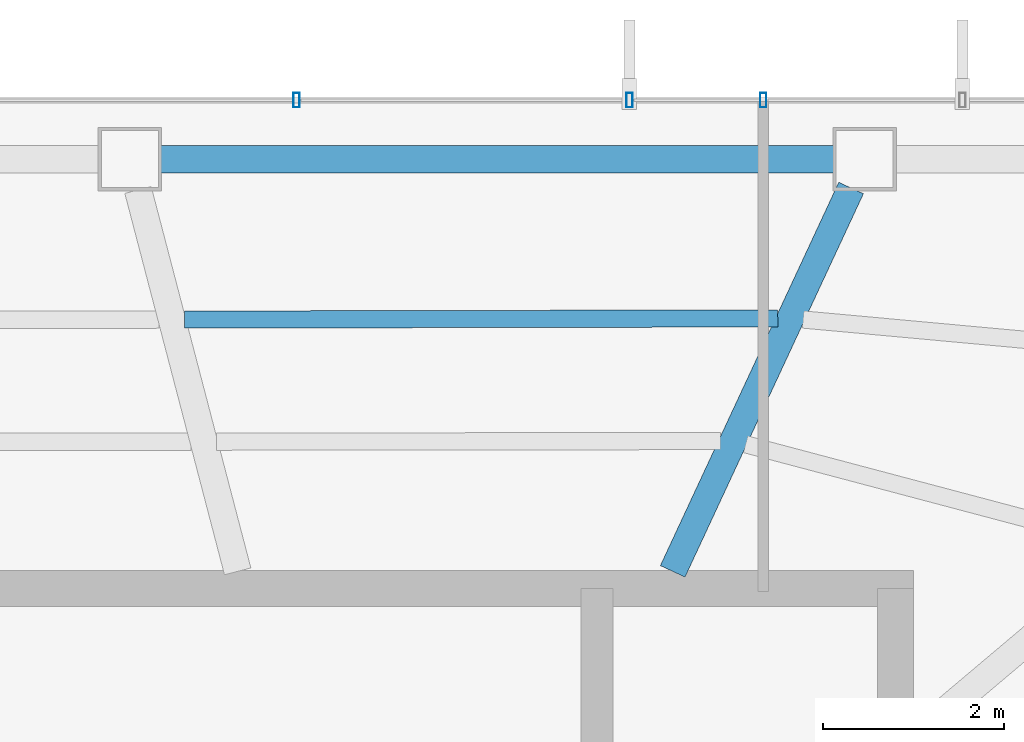
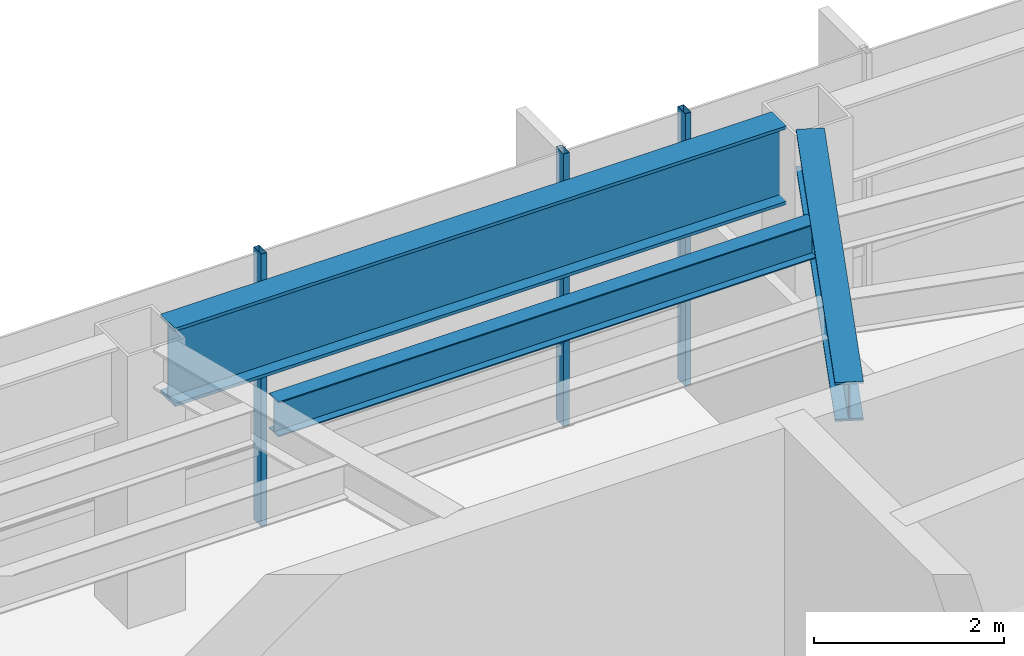
# One storey, part 16 of 28: 3 beams, 3 members, 1 element without a shape of its own.
"""IFC4 building model written with IfcOpenShell, lengths in metres."""

from ifc_helpers import new_model, si_unit, direction, frame, origin, origin_2d, place, context, subcontext, project, spatial, hollow_rectangle, i_section, extrude, material, layer, layer_set, material_profile, profile_set, type_object, element, aggregate, save


model = new_model("IFC4")

# Units and contexts
model_context = context("Model", 3, precision=1e-05, world=origin(), true_north=direction((0.0, 1.0)))
body_context = subcontext(model_context, "Body", "Model", "MODEL_VIEW")
ifc_project = project(units=[si_unit("LENGTHUNIT", "METRE"), si_unit("AREAUNIT", "SQUARE_METRE"), si_unit("VOLUMEUNIT", "CUBIC_METRE"), si_unit("PLANEANGLEUNIT", "RADIAN"), si_unit("MASSUNIT", "GRAM", prefix="KILO")], contexts=[model_context])

# Site, building, storey
site_placement = place(None, origin())
site = spatial("IfcSite", under=ifc_project, at=site_placement, CompositionType="ELEMENT")
building_placement = place(site_placement, origin())
building = spatial("IfcBuilding", under=site, at=building_placement, Name="Zarrinselat Tower", CompositionType="ELEMENT")
storey_placement = place(building_placement, frame((0.0, 0.0, 168.300048828125)))
storey = spatial("IfcBuildingStorey", under=building, at=storey_placement, Name="L41", CompositionType="ELEMENT", Elevation=168.300048828125)

# Beams
ifc_material_1 = material(Name="Steel S355J2", Category="steel")
ifc_material_profile_1 = material_profile(ifc_material_1, i_section(OverallWidth=0.300048828125, OverallDepth=0.5, WebThickness=0.014404296875, FlangeThickness=0.028076171875, at=origin_2d()), Name="HEB 500")
ifc_profile_set_1 = profile_set([ifc_material_profile_1], Name="Steel S355J2")
beam_type_1 = type_object("IfcBeamType", Name="BM-HEB500", PredefinedType="BEAM", material=ifc_profile_set_1)
beam_1_placement = place(storey_placement, frame((45.800048828125, 43.639892578125, 3.25), z_axis=(0.421962844201, 0.90661312483, 0.0), x_axis=(-0.90661312483, 0.421962844201, 0.0)))
element("IfcBeam", 1, at=beam_1_placement, inside=storey, type_object=beam_type_1, Name="L41 Radial Primary Girder RG02", PredefinedType="BEAM", context=body_context, shape_type="SweptSolid", body=[
    extrude(i_section(OverallWidth=0.300048828125, OverallDepth=0.5, WebThickness=0.014404296875, FlangeThickness=0.028076171875, at=origin_2d()), origin(), (0.0, 0.0, 1.0), 4.665771484375),
])
ifc_material_2 = material(Name="Steel S460M", Category="steel")
ifc_material_profile_2 = material_profile(ifc_material_2, i_section(OverallWidth=0.302001953125, OverallDepth=1.008056640625, WebThickness=0.02099609375, FlangeThickness=0.0400390625, at=origin_2d()), Name="HEM 1000")
ifc_profile_set_2 = profile_set([ifc_material_profile_2], Name="Steel S460M")
beam_type_2 = type_object("IfcBeamType", Name="BM-HEM1000", PredefinedType="BEAM", material=ifc_profile_set_2)
beam_2_placement = place(storey_placement, frame((40.149169921875, 48.18896484375, 2.995849609375), z_axis=(1.0, 0.0, 0.0), x_axis=(0.0, 1.0, 0.0)))
element("IfcBeam", 2, at=beam_2_placement, inside=storey, type_object=beam_type_2, Name="L41 Perimeter Spandrel Girder SP02", PredefinedType="BEAM", context=body_context, shape_type="SweptSolid", body=[
    extrude(i_section(OverallWidth=0.302001953125, OverallDepth=1.008056640625, WebThickness=0.02099609375, FlangeThickness=0.0400390625, at=origin_2d()), origin(), (0.0, 0.0, 1.0), 7.43017578125),
])
ifc_material_3 = material(Name="Steel S355J2", Category="steel")
ifc_material_profile_3 = material_profile(ifc_material_3, i_section(OverallWidth=0.18994140625, OverallDepth=0.449951171875, WebThickness=0.009521484375, FlangeThickness=0.0146484375, at=origin_2d()), Name="IPE 450")
ifc_profile_set_3 = profile_set([ifc_material_profile_3], Name="Steel S355J2")
beam_type_3 = type_object("IfcBeamType", Name="BM-IPE450", PredefinedType="JOIST", material=ifc_profile_set_3)
beam_3_placement = place(storey_placement, frame((40.4140625, 46.417724609375, 3.27490234375), z_axis=(0.999997818521, 0.002088768289, 0.0), x_axis=(-0.002088768289, 0.999997818521, 0.0)))
element("IfcBeam", 3, at=beam_3_placement, inside=storey, type_object=beam_type_3, Name="L41 Composite Floor Joist 7-1", PredefinedType="JOIST", context=body_context, shape_type="SweptSolid", body=[
    extrude(i_section(OverallWidth=0.18994140625, OverallDepth=0.449951171875, WebThickness=0.009521484375, FlangeThickness=0.0146484375, at=origin_2d()), origin(), (0.0, 0.0, 1.0), 6.54541015625),
])

# Curtain wall, members
ifc_material_4 = material(Name="Extruded Aluminium Alloy EN AW-6063 T6", Category="aluminium")
ifc_layer = layer(ifc_material_4, 0.175048828125)
ifc_layer_set = layer_set([ifc_layer], Name="Extruded Aluminium Alloy EN AW-6063 T6")
curtain_wall_type = type_object("IfcCurtainWallType", Name="CWS-HTL", PredefinedType="NOTDEFINED", material=ifc_layer_set)
curtain_wall_placement = place(storey_placement, origin())
curtain_wall = element("IfcCurtainWall", 4, at=curtain_wall_placement, inside=storey, type_object=curtain_wall_type, Name="L41 Unitised Curtain Wall CW-L41-E01", PredefinedType="NOTDEFINED")
ifc_material_5 = material(Name="Extruded Aluminium Alloy EN AW-6063 T6", Category="aluminium")
ifc_material_profile_4 = material_profile(ifc_material_5, hollow_rectangle(XDim=0.070068359375, YDim=0.159912109375, WallThickness=0.00390625, at=origin_2d()), Name="RHS 160x70x4")
ifc_profile_set_4 = profile_set([ifc_material_profile_4], Name="Extruded Aluminium Alloy EN AW-6063 T6")
member_type = type_object("IfcMemberType", Name="MEM-CW-MUL2", PredefinedType="MULLION", material=ifc_profile_set_4)
member_1_placement = place(storey_placement, frame((46.800048828125, 48.8388671875, 0.0), z_axis=(0.0, 0.0, 1.0), x_axis=(-1.0, 0.0, 0.0)))
member_1 = element("IfcMember", 5, at=member_1_placement, type_object=member_type, Name="CW-L41-E01 Mullion 4", PredefinedType="MULLION", context=body_context, shape_type="SweptSolid", body=[
    extrude(hollow_rectangle(XDim=0.070068359375, YDim=0.159912109375, WallThickness=0.00390625, at=origin_2d()), origin(), (0.0, 0.0, 1.0), 3.5),
])
member_2_placement = place(storey_placement, frame((45.322998046875, 48.8388671875, 0.0), z_axis=(0.0, 0.0, 1.0), x_axis=(-1.0, 0.0, 0.0)))
member_2 = element("IfcMember", 6, at=member_2_placement, type_object=member_type, Name="CW-L41-E01 Mullion 5", PredefinedType="MULLION", context=body_context, shape_type="SweptSolid", body=[
    extrude(hollow_rectangle(XDim=0.070068359375, YDim=0.159912109375, WallThickness=0.00390625, at=origin_2d()), origin(), (0.0, 0.0, 1.0), 3.5),
])
member_3_placement = place(storey_placement, frame((41.648193359375, 48.8388671875, 0.0), z_axis=(0.0, 0.0, 1.0), x_axis=(-1.0, 0.0, 0.0)))
member_3 = element("IfcMember", 7, at=member_3_placement, type_object=member_type, Name="CW-L41-E01 Mullion 6", PredefinedType="MULLION", context=body_context, shape_type="SweptSolid", body=[
    extrude(hollow_rectangle(XDim=0.070068359375, YDim=0.159912109375, WallThickness=0.00390625, at=origin_2d()), origin(), (0.0, 0.0, 1.0), 3.5),
])
aggregate(curtain_wall, [member_1, member_2, member_3])

save(model, "model.ifc")
